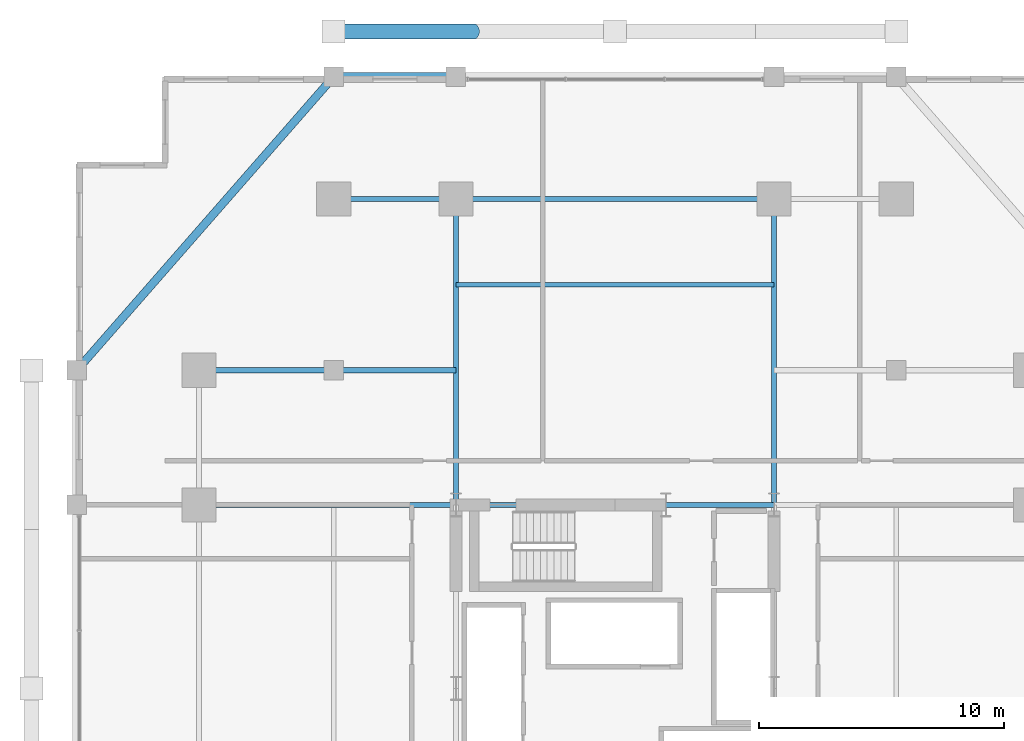
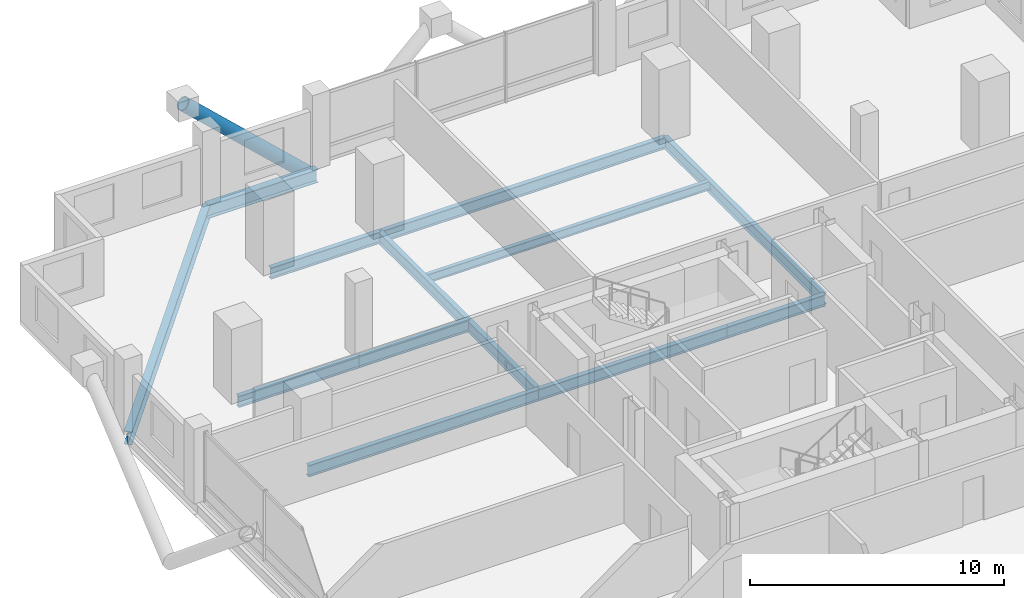
# One storey, part 12 of 21: 12 beams, 1 member.
"""IFC4 building model written with IfcOpenShell, lengths in metres."""

import ifcopenshell
import ifcopenshell.guid

model = None  # the IFC model being written
_history = None  # IfcOwnerHistory: only IFC2X3 demands one
_inside = {}  # id of a spatial element -> (the spatial element, [elements in it])
_under = {}  # id of a project, library or spatial element -> (it, [spatial elements below it])
_declared = {}  # id of a project -> (the project, [libraries it declares])
_typed = {}  # id of a type object -> (the type object, [elements of that type])
_made_of = {}  # id of a material, layer set ... -> (it, [elements and type objects made of it])


def new_model(schema):
    """Start an empty IFC model of exactly this schema.

    Asked for "IFC4X3", IfcOpenShell would pick the latest addendum, in which some entities
    have other attributes; the version numbers below select the first issue.
    IFC2X3 requires an IfcOwnerHistory on every rooted entity: one is made here for all.
    """
    global model, _history
    if schema == "IFC4X3":
        model = ifcopenshell.file(schema_version=(4, 3, 0, 0))
    else:
        model = ifcopenshell.file(schema=schema)
    _inside.clear()
    _under.clear()
    _declared.clear()
    _typed.clear()
    _made_of.clear()
    _history = None
    if model.schema == "IFC2X3":
        org = make("IfcOrganization", Name="unknown")
        user = make(
            "IfcPersonAndOrganization",
            ThePerson=make("IfcPerson", FamilyName="unknown"),
            TheOrganization=org,
        )
        app = make(
            "IfcApplication",
            ApplicationDeveloper=org,
            Version="unknown",
            ApplicationFullName="unknown",
            ApplicationIdentifier="unknown",
        )
        _history = make(
            "IfcOwnerHistory",
            OwningUser=user,
            OwningApplication=app,
            ChangeAction="ADDED",
            CreationDate=0,
        )
    return model


def make(cls, **values):
    """One entity of the class cls with the attributes given. An attribute that is None is left unset."""
    return model.create_entity(
        cls, **{name: value for name, value in values.items() if value is not None}
    )


def rooted(cls, **values):
    """An entity with a GlobalId (a new one), such as an element, a storey or a relation."""
    return make(cls, GlobalId=ifcopenshell.guid.new(), OwnerHistory=_history, **values)


def si_unit(unit_type, name, prefix=None):
    """IfcSIUnit, for example si_unit("LENGTHUNIT", "METRE", prefix="MILLI")."""
    return make("IfcSIUnit", UnitType=unit_type, Prefix=prefix, Name=name)


def assignment(units):
    """IfcUnitAssignment: the units of a project."""
    return None if units is None else make("IfcUnitAssignment", Units=units)


def point(xyz):
    """IfcCartesianPoint."""
    return None if xyz is None else make("IfcCartesianPoint", Coordinates=xyz)


def direction(xyz):
    """IfcDirection."""
    return None if xyz is None else make("IfcDirection", DirectionRatios=xyz)


def frame(location, z_axis=None, x_axis=None):
    """IfcAxis2Placement3D, a coordinate frame: its origin and axes. An axis left out is left unset."""
    return make(
        "IfcAxis2Placement3D",
        Location=point(location),
        Axis=direction(z_axis),
        RefDirection=direction(x_axis),
    )


def frame_2d(location, x_axis=None):
    """IfcAxis2Placement2D, a coordinate frame in the plane: its origin and x axis."""
    return make(
        "IfcAxis2Placement2D", Location=point(location), RefDirection=direction(x_axis)
    )


def origin():
    """The frame at (0, 0, 0) with its axes left unset."""
    return frame((0.0, 0.0, 0.0))


def origin_2d():
    """The frame at (0, 0) in the plane with its x axis left unset."""
    return frame_2d((0.0, 0.0))


def place(relative_to, where):
    """IfcLocalPlacement: puts the frame where relative to a parent placement (None: the world)."""
    return make(
        "IfcLocalPlacement", PlacementRelTo=relative_to, RelativePlacement=where
    )


def context(
    kind, dimensions, precision=None, world=None, true_north=None, identifier=None
):
    """IfcGeometricRepresentationContext, for example the 3D "Model" context."""
    return make(
        "IfcGeometricRepresentationContext",
        ContextIdentifier=identifier,
        ContextType=kind,
        CoordinateSpaceDimension=dimensions,
        Precision=precision,
        WorldCoordinateSystem=world,
        TrueNorth=true_north,
    )


def subcontext(parent, identifier, kind, view, scale=None):
    """IfcGeometricRepresentationSubContext, for example "Body" below "Model"."""
    return make(
        "IfcGeometricRepresentationSubContext",
        ContextIdentifier=identifier,
        ContextType=kind,
        ParentContext=parent,
        TargetScale=scale,
        TargetView=view,
    )


def project(units=None, contexts=None):
    """IfcProject with its units and contexts."""
    return rooted(
        "IfcProject",
        Name="project",
        RepresentationContexts=contexts,
        UnitsInContext=assignment(units),
    )


def spatial(cls, under=None, at=None, **own):
    """A site, building, storey or space (cls), placed at a placement, below another one or the project."""
    s = rooted(cls, ObjectPlacement=at, **own)
    if under is not None:
        _under.setdefault(under.id(), (under, []))[1].append(s)
    return s


def profile(cls, at=None, kind="AREA", **sizes):
    """A parametric profile (cls). Its sizes go by their IFC names, for example OverallWidth=200.0."""
    return make(cls, ProfileType=kind, Position=at, **sizes)


def hollow_circle(**sizes):
    """IfcCircleHollowProfileDef."""
    return profile("IfcCircleHollowProfileDef", **sizes)


def i_section(**sizes):
    """IfcIShapeProfileDef."""
    return profile("IfcIShapeProfileDef", **sizes)


def extrude(swept, where, along, depth):
    """IfcExtrudedAreaSolid: the profile swept, set in the frame where, extruded along a direction by depth."""
    return make(
        "IfcExtrudedAreaSolid",
        SweptArea=swept,
        Position=where,
        ExtrudedDirection=direction(along),
        Depth=depth,
    )


def shape(context_of_items, identifier, shape_type, items):
    """IfcShapeRepresentation: the items that make up one representation, for example the "Body"."""
    return make(
        "IfcShapeRepresentation",
        ContextOfItems=context_of_items,
        RepresentationIdentifier=identifier,
        RepresentationType=shape_type,
        Items=items,
    )


def material(Name=None, Category=None):
    """IfcMaterial."""
    return make("IfcMaterial", Name=Name, Category=Category)


def material_profile(
    of_material, cross_section, Name=None, Category=None, Priority=None
):
    """IfcMaterialProfile: a cross section and its material."""
    return make(
        "IfcMaterialProfile",
        Name=Name,
        Material=of_material,
        Profile=cross_section,
        Priority=Priority,
        Category=Category,
    )


def profile_set(profiles, Name=None, composite=None):
    """IfcMaterialProfileSet."""
    return make(
        "IfcMaterialProfileSet",
        Name=Name,
        MaterialProfiles=profiles,
        CompositeProfile=composite,
    )


def made_of(thing, what):
    """Note that an element or type object is made of a material, layer set ...; save() writes the relation."""
    if what is not None:
        _made_of.setdefault(what.id(), (what, []))[1].append(thing)
    return thing


def type_object(cls, material=None, **own):
    """A type object (cls), such as IfcWallType, which elements share."""
    return made_of(rooted(cls, **own), material)


def element(
    cls,
    number,
    at=None,
    inside=None,
    cuts=None,
    type_object=None,
    material=None,
    context=None,
    identifier="Body",
    shape_type=None,
    held_by="IfcProductDefinitionShape",
    body=None,
    shapes=None,
    **own,
):
    """One element of the class cls, such as IfcWall. Its Tag is "e" and its number.

    at: its placement. inside: the storey or other place that contains it. cuts: it is an
    opening in that element (IfcRelVoidsElement). A single representation is given by context,
    identifier, shape_type and body (its items); several are given by shapes. held_by: the class
    of the entity that holds the representations. save() writes the other relations.
    """
    e = rooted(cls, Tag="e%d" % number, ObjectPlacement=at, **own)
    if body is not None:
        shapes = [shape(context, identifier, shape_type, body)]
    if shapes is not None:
        e.Representation = make(held_by, Representations=shapes)
    if inside is not None:
        _inside.setdefault(inside.id(), (inside, []))[1].append(e)
    if cuts is not None:
        rooted(
            "IfcRelVoidsElement", RelatingBuildingElement=cuts, RelatedOpeningElement=e
        )
    if type_object is not None:
        _typed.setdefault(type_object.id(), (type_object, []))[1].append(e)
    return made_of(e, material)


def aggregate(whole, parts):
    """IfcRelAggregates: a whole, such as a stair, and the parts it consists of."""
    return rooted("IfcRelAggregates", RelatingObject=whole, RelatedObjects=parts)


def save(model, path):
    """Write the relations noted so far, then the file.

    IfcRelAggregates (storeys below a building ...), IfcRelContainedInSpatialStructure (elements
    in a storey), IfcRelDefinesByType, IfcRelAssociatesMaterial and IfcRelDeclares: one each for
    every whole, place, type object, material and project.
    """
    for whole, parts in _under.values():
        aggregate(whole, parts)
    for where, things in _inside.values():
        rooted(
            "IfcRelContainedInSpatialStructure",
            RelatedElements=things,
            RelatingStructure=where,
        )
    for kind, things in _typed.values():
        rooted("IfcRelDefinesByType", RelatedObjects=things, RelatingType=kind)
    for what, things in _made_of.values():
        rooted("IfcRelAssociatesMaterial", RelatedObjects=things, RelatingMaterial=what)
    for by, libraries in _declared.values():
        rooted("IfcRelDeclares", RelatingContext=by, RelatedDefinitions=libraries)
    model.write(path)


model = new_model("IFC4")

# Units and contexts
model_context = context("Model", 3, precision=1e-05, world=origin(), true_north=direction((0.0, 1.0)))
body_context = subcontext(model_context, "Body", "Model", "MODEL_VIEW")
ifc_project = project(units=[si_unit("LENGTHUNIT", "METRE"), si_unit("AREAUNIT", "SQUARE_METRE"), si_unit("VOLUMEUNIT", "CUBIC_METRE"), si_unit("PLANEANGLEUNIT", "RADIAN"), si_unit("MASSUNIT", "GRAM", prefix="KILO")], contexts=[model_context])

# Site, building, storey
site_placement = place(None, origin())
site = spatial("IfcSite", under=ifc_project, at=site_placement, CompositionType="ELEMENT")
building_placement = place(site_placement, origin())
building = spatial("IfcBuilding", under=site, at=building_placement, Name="Barlavira Tower and Art Museum", CompositionType="ELEMENT")
storey_placement = place(building_placement, frame((0.0, 0.0, 79.199951171875)))
storey = spatial("IfcBuildingStorey", under=building, at=storey_placement, Name="L19", CompositionType="ELEMENT", Elevation=79.199951171875)

# Member
ifc_material = material(Name="Steel S355", Category="steel")
ifc_material_profile_1 = material_profile(ifc_material, hollow_circle(Radius=0.304931640625, WallThickness=0.028076171875, at=origin_2d()), Name="CHS 610.0x28.0")
ifc_profile_set_1 = profile_set([ifc_material_profile_1], Name="Steel S355")
member_type = type_object("IfcMemberType", Name="Pale-Metal Exoskeleton Diagrid Tube CHS 610x28 Steel S355", PredefinedType="BRACE", material=ifc_profile_set_1)
member_placement = place(storey_placement, frame((-5.75, 26.85009765625, -1.919921875), z_axis=(-0.728950095515, 0.0, 0.684566839869), x_axis=(0.0, -1.0, 0.0)))
element("IfcMember", 1, at=member_placement, inside=storey, type_object=member_type, Name="L19 Exoskeleton Diagrid Tube N", PredefinedType="BRACE", context=body_context, shape_type="SweptSolid", body=[
    extrude(hollow_circle(Radius=0.304931640625, WallThickness=0.028076171875, at=origin_2d()), origin(), (0.0, 0.0, 1.0), 7.887939453125),
])

# Beams
ifc_material_profile_2 = material_profile(ifc_material, i_section(OverallWidth=0.327880859375, OverallDepth=0.62890625, WebThickness=0.013916015625, FlangeThickness=0.021484375, at=origin_2d()), Name="W610x174.0")
ifc_profile_set_2 = profile_set([ifc_material_profile_2], Name="Steel S355")
beam_type_1 = type_object("IfcBeamType", Name="Perimeter Spandrel Edge Beam W610x174 Steel S355", PredefinedType="SPANDREL", material=ifc_profile_set_2)
beam_1_placement = place(storey_placement, frame((-11.5, 25.0, -0.534423828125), z_axis=(1.0, 0.0, 0.0), x_axis=(0.0, 1.0, 0.0)))
element("IfcBeam", 2, at=beam_1_placement, inside=storey, type_object=beam_type_1, Name="L19 Spandrel 11", PredefinedType="SPANDREL", context=body_context, shape_type="SweptSolid", body=[
    extrude(i_section(OverallWidth=0.327880859375, OverallDepth=0.62890625, WebThickness=0.013916015625, FlangeThickness=0.021484375, at=origin_2d()), origin(), (0.0, 0.0, 1.0), 5.0),
])
beam_2_placement = place(storey_placement, frame((-11.5, 25.0, -0.534423828125), z_axis=(-0.658504607869, -0.752576694707, 0.0), x_axis=(0.752576694707, -0.658504607869, 0.0)))
element("IfcBeam", 3, at=beam_2_placement, inside=storey, type_object=beam_type_1, Name="L19 Spandrel 12", PredefinedType="SPANDREL", context=body_context, shape_type="SweptSolid", body=[
    extrude(i_section(OverallWidth=0.327880859375, OverallDepth=0.62890625, WebThickness=0.013916015625, FlangeThickness=0.021484375, at=origin_2d()), origin(), (0.0, 0.0, 1.0), 15.9453125),
])
ifc_material_profile_3 = material_profile(ifc_material, i_section(OverallWidth=0.180908203125, OverallDepth=0.4169921875, WebThickness=0.010986328125, FlangeThickness=0.018310546875, at=origin_2d()), Name="W410x85.0")
ifc_profile_set_3 = profile_set([ifc_material_profile_3], Name="Steel S355")
beam_type_2 = type_object("IfcBeamType", Name="Zone 1 Composite Floor Joist W410x85 Steel S355", PredefinedType="JOIST", material=ifc_profile_set_3)
beam_3_placement = place(storey_placement, frame((-6.5, 16.5, -0.428466796875), z_axis=(1.0, 0.0, 0.0), x_axis=(0.0, 1.0, 0.0)))
element("IfcBeam", 4, at=beam_3_placement, inside=storey, type_object=beam_type_2, Name="L19 Joist C2", PredefinedType="JOIST", context=body_context, shape_type="SweptSolid", body=[
    extrude(i_section(OverallWidth=0.180908203125, OverallDepth=0.4169921875, WebThickness=0.010986328125, FlangeThickness=0.018310546875, at=origin_2d()), origin(), (0.0, 0.0, 1.0), 13.0),
])
ifc_material_profile_4 = material_profile(ifc_material, i_section(OverallWidth=0.214111328125, OverallDepth=0.549072265625, WebThickness=0.0146484375, FlangeThickness=0.023681640625, at=origin_2d()), Name="W530x138.0")
ifc_profile_set_4 = profile_set([ifc_material_profile_4], Name="Steel S355")
beam_type_3 = type_object("IfcBeamType", Name="Zone 1 Primary Floor Girder W530x138 Steel S355", PredefinedType="BEAM", material=ifc_profile_set_4)
beam_4_placement = place(storey_placement, frame((-6.5, 7.5, -0.494384765625), z_axis=(1.0, 0.0, 0.0), x_axis=(0.0, 1.0, 0.0)))
element("IfcBeam", 5, at=beam_4_placement, inside=storey, type_object=beam_type_3, Name="L19 Girder C-N1", PredefinedType="BEAM", context=body_context, shape_type="SweptSolid", body=[
    extrude(i_section(OverallWidth=0.214111328125, OverallDepth=0.549072265625, WebThickness=0.0146484375, FlangeThickness=0.023681640625, at=origin_2d()), origin(), (0.0, 0.0, 1.0), 8.580078125),
])
beam_5_placement = place(storey_placement, frame((2.080078125, 7.5, -0.494384765625), z_axis=(1.0, 0.0, 0.0), x_axis=(0.0, 1.0, 0.0)))
element("IfcBeam", 6, at=beam_5_placement, inside=storey, type_object=beam_type_3, Name="L19 Girder C-N2", PredefinedType="BEAM", context=body_context, shape_type="SweptSolid", body=[
    extrude(i_section(OverallWidth=0.214111328125, OverallDepth=0.549072265625, WebThickness=0.0146484375, FlangeThickness=0.023681640625, at=origin_2d()), origin(), (0.0, 0.0, 1.0), 4.419921875),
])
beam_6_placement = place(storey_placement, frame((-11.5, 20.0, -0.494384765625), z_axis=(1.0, 0.0, 0.0), x_axis=(0.0, 1.0, 0.0)))
element("IfcBeam", 7, at=beam_6_placement, inside=storey, type_object=beam_type_3, Name="L19 Girder M-N1", PredefinedType="BEAM", context=body_context, shape_type="SweptSolid", body=[
    extrude(i_section(OverallWidth=0.214111328125, OverallDepth=0.549072265625, WebThickness=0.0146484375, FlangeThickness=0.023681640625, at=origin_2d()), origin(), (0.0, 0.0, 1.0), 5.0),
])
beam_7_placement = place(storey_placement, frame((-6.5, 20.0, -0.494384765625), z_axis=(1.0, 0.0, 0.0), x_axis=(0.0, 1.0, 0.0)))
element("IfcBeam", 8, at=beam_7_placement, inside=storey, type_object=beam_type_3, Name="L19 Girder M-N2", PredefinedType="BEAM", context=body_context, shape_type="SweptSolid", body=[
    extrude(i_section(OverallWidth=0.214111328125, OverallDepth=0.549072265625, WebThickness=0.0146484375, FlangeThickness=0.023681640625, at=origin_2d()), origin(), (0.0, 0.0, 1.0), 13.0),
])
for number, where, z_axis, x_axis, name in (
    (9, (-6.5, 7.5, -0.494384765625), (0.0, 1.0, 0.0), (-1.0, 0.0, 0.0), "L19 Girder R-N1"),
    (10, (6.5, 7.5, -0.494384765625), (0.0, 1.0, 0.0), (-1.0, 0.0, 0.0), "L19 Girder R-N2"),
):
    element("IfcBeam", number, at=place(storey_placement, frame(where, z_axis=z_axis, x_axis=x_axis)), inside=storey, type_object=beam_type_3, Name=name, PredefinedType="BEAM", context=body_context, shape_type="SweptSolid", body=[
        extrude(i_section(OverallWidth=0.214111328125, OverallDepth=0.549072265625, WebThickness=0.0146484375, FlangeThickness=0.023681640625, at=origin_2d()), origin(), (0.0, 0.0, 1.0), 12.5),
    ])
beam_8_placement = place(storey_placement, frame((-17.0, 7.5, -0.494384765625), z_axis=(1.0, 0.0, 0.0), x_axis=(0.0, 1.0, 0.0)))
element("IfcBeam", 11, at=beam_8_placement, inside=storey, type_object=beam_type_3, Name="L19 Girder R-W2", PredefinedType="BEAM", context=body_context, shape_type="SweptSolid", body=[
    extrude(i_section(OverallWidth=0.214111328125, OverallDepth=0.549072265625, WebThickness=0.0146484375, FlangeThickness=0.023681640625, at=origin_2d()), origin(), (0.0, 0.0, 1.0), 10.5),
])
beam_9_placement = place(storey_placement, frame((-17.0, 13.0, -0.494384765625), z_axis=(1.0, 0.0, 0.0), x_axis=(0.0, 1.0, 0.0)))
element("IfcBeam", 12, at=beam_9_placement, inside=storey, type_object=beam_type_3, Name="L19 Girder I-N1", PredefinedType="BEAM", context=body_context, shape_type="SweptSolid", body=[
    extrude(i_section(OverallWidth=0.214111328125, OverallDepth=0.549072265625, WebThickness=0.0146484375, FlangeThickness=0.023681640625, at=origin_2d()), origin(), (0.0, 0.0, 1.0), 5.5),
])
beam_10_placement = place(storey_placement, frame((-11.5, 13.0, -0.494384765625), z_axis=(1.0, 0.0, 0.0), x_axis=(0.0, 1.0, 0.0)))
element("IfcBeam", 13, at=beam_10_placement, inside=storey, type_object=beam_type_3, Name="L19 Girder I-N2", PredefinedType="BEAM", context=body_context, shape_type="SweptSolid", body=[
    extrude(i_section(OverallWidth=0.214111328125, OverallDepth=0.549072265625, WebThickness=0.0146484375, FlangeThickness=0.023681640625, at=origin_2d()), origin(), (0.0, 0.0, 1.0), 5.0),
])

save(model, "model.ifc")
